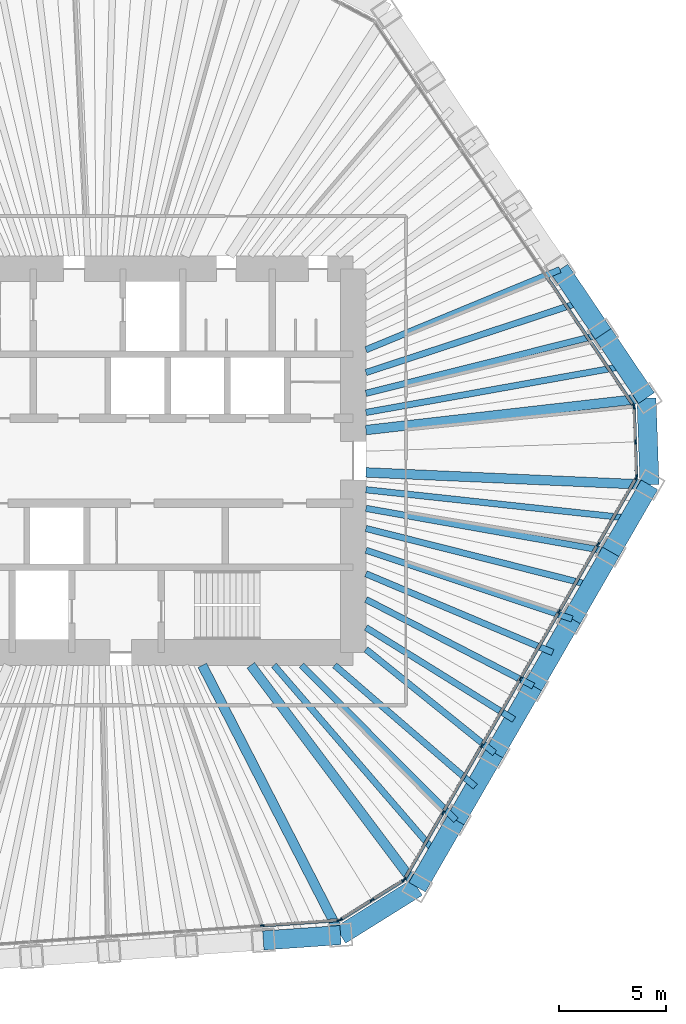
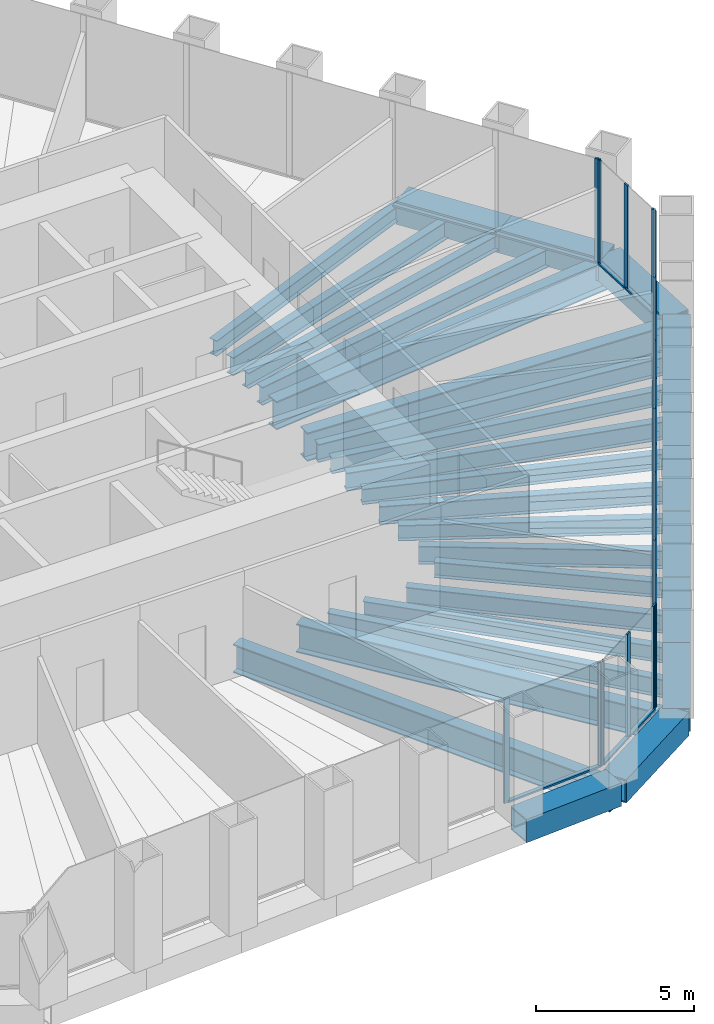
# One storey, part 4 of 13: 30 beams, 29 members, 5 elements without a shape of their own.
"""IFC4 building model written with IfcOpenShell, lengths in metres."""

from ifc_helpers import new_model, si_unit, direction, frame, origin, origin_2d, place, context, subcontext, project, spatial, rectangle, hollow_rectangle, i_section, extrude, material, material_profile, profile_set, type_object, element, aggregate, save


model = new_model("IFC4")

# Units and contexts
model_context = context("Model", 3, precision=1e-05, world=origin(), true_north=direction((0.0, 1.0)))
body_context = subcontext(model_context, "Body", "Model", "MODEL_VIEW")
ifc_project = project(units=[si_unit("LENGTHUNIT", "METRE"), si_unit("AREAUNIT", "SQUARE_METRE"), si_unit("VOLUMEUNIT", "CUBIC_METRE"), si_unit("PLANEANGLEUNIT", "RADIAN"), si_unit("MASSUNIT", "GRAM", prefix="KILO")], contexts=[model_context])

# Site, building, storey
site_placement = place(None, origin())
site = spatial("IfcSite", under=ifc_project, at=site_placement, CompositionType="ELEMENT")
building_placement = place(site_placement, origin())
building = spatial("IfcBuilding", under=site, at=building_placement, Name="Qingtian Harvest Tower", CompositionType="ELEMENT")
storey_placement = place(building_placement, frame((0.0, 0.0, 205.60009765625)))
storey = spatial("IfcBuildingStorey", under=building, at=storey_placement, Name="L44", CompositionType="ELEMENT", Elevation=205.60009765625)

# Beams
ifc_material_1 = material(Name="Steel SM570MC", Category="steel")
ifc_material_profile_1 = material_profile(ifc_material_1, i_section(OverallWidth=0.449951171875, OverallDepth=1.10009765625, WebThickness=0.02197265625, FlangeThickness=0.044921875, at=origin_2d()), Name="H1100x450x22x45")
ifc_profile_set_1 = profile_set([ifc_material_profile_1], Name="Steel SM570MC")
beam_type_1 = type_object("IfcBeamType", Name="Corner floor beam FB8 H1100x450x22x45", PredefinedType="BEAM", material=ifc_profile_set_1)
beam_1_placement = place(storey_placement, frame((25.762451171875, 2.936279296875, -0.72021484375), z_axis=(-0.993566901619, -0.113246686522, 0.0), x_axis=(0.113246686522, -0.993566901619, 0.0)))
element("IfcBeam", 1, at=beam_1_placement, inside=storey, type_object=beam_type_1, Name="Floor beam FB8 NE6", PredefinedType="BEAM", context=body_context, shape_type="SweptSolid", body=[
    extrude(i_section(OverallWidth=0.449951171875, OverallDepth=1.10009765625, WebThickness=0.02197265625, FlangeThickness=0.044921875, at=origin_2d()), origin(), (0.0, 0.0, 1.0), 13.24755859375),
])
beam_2_placement = place(storey_placement, frame((25.904541015625, -1.1318359375, -0.72021484375), z_axis=(-0.999046865424, 0.043650437408, 0.0), x_axis=(-0.043650437408, -0.999046865424, 0.0)))
element("IfcBeam", 2, at=beam_2_placement, inside=storey, type_object=beam_type_1, Name="Floor beam FB8 SE0", PredefinedType="BEAM", context=body_context, shape_type="SweptSolid", body=[
    extrude(i_section(OverallWidth=0.449951171875, OverallDepth=1.10009765625, WebThickness=0.02197265625, FlangeThickness=0.044921875, at=origin_2d()), origin(), (0.0, 0.0, 1.0), 13.317138671875),
])
beam_3_placement = place(storey_placement, frame((15.00390625, -20.012451171875, -0.72021484375), z_axis=(-0.599858913609, 0.800105795357, 0.0), x_axis=(-0.800105795357, -0.599858913609, 0.0)))
element("IfcBeam", 3, at=beam_3_placement, inside=storey, type_object=beam_type_1, Name="Floor beam FB8 SE6", PredefinedType="BEAM", context=body_context, shape_type="SweptSolid", body=[
    extrude(i_section(OverallWidth=0.449951171875, OverallDepth=1.10009765625, WebThickness=0.02197265625, FlangeThickness=0.044921875, at=origin_2d()), origin(), (0.0, 0.0, 1.0), 13.013671875),
])
beam_4_placement = place(storey_placement, frame((11.40966796875, -22.25830078125, -0.72021484375), z_axis=(-0.456157396608, 0.889899111989, 0.0), x_axis=(-0.889899111989, -0.456157396608, 0.0)))
element("IfcBeam", 4, at=beam_4_placement, inside=storey, type_object=beam_type_1, Name="Floor beam FB8 S0", PredefinedType="BEAM", context=body_context, shape_type="SweptSolid", body=[
    extrude(i_section(OverallWidth=0.449951171875, OverallDepth=1.10009765625, WebThickness=0.02197265625, FlangeThickness=0.044921875, at=origin_2d()), origin(), (0.0, 0.0, 1.0), 14.224365234375),
])
ifc_material_2 = material(Name="Steel SN490B", Category="steel")
ifc_material_profile_2 = material_profile(ifc_material_2, i_section(OverallWidth=0.300048828125, OverallDepth=0.60009765625, WebThickness=0.011962890625, FlangeThickness=0.02001953125, at=origin_2d()), Name="H600x300x12x20")
ifc_profile_set_2 = profile_set([ifc_material_profile_2], Name="Steel SN490B")
beam_type_2 = type_object("IfcBeamType", Name="Floor beam FB3 H600x300x12x20", PredefinedType="BEAM", material=ifc_profile_set_2)
beam_5_placement = place(storey_placement, frame((21.69873046875, 8.9609375, -0.47021484375), z_axis=(-0.924281590361, -0.381711332973, 0.0), x_axis=(0.381711332973, -0.924281590361, 0.0)))
element("IfcBeam", 5, at=beam_5_placement, inside=storey, type_object=beam_type_2, Name="Floor beam FB3 NE4", PredefinedType="BEAM", context=body_context, shape_type="SweptSolid", body=[
    extrude(i_section(OverallWidth=0.300048828125, OverallDepth=0.60009765625, WebThickness=0.011962890625, FlangeThickness=0.02001953125, at=origin_2d()), origin(), (0.0, 0.0, 1.0), 9.843994140625),
])
beam_6_placement = place(storey_placement, frame((23.730712890625, 5.948486328125, -0.47021484375), z_axis=(-0.969990876487, -0.243141315972, 0.0), x_axis=(0.243141315972, -0.969990876487, 0.0)))
element("IfcBeam", 6, at=beam_6_placement, inside=storey, type_object=beam_type_2, Name="Floor beam FB3 NE5", PredefinedType="BEAM", context=body_context, shape_type="SweptSolid", body=[
    extrude(i_section(OverallWidth=0.300048828125, OverallDepth=0.60009765625, WebThickness=0.011962890625, FlangeThickness=0.02001953125, at=origin_2d()), origin(), (0.0, 0.0, 1.0), 11.474853515625),
])
beam_7_placement = place(storey_placement, frame((24.087890625, -4.27880859375, -0.47021484375), z_axis=(-0.98458469654, 0.174908477034, 0.0), x_axis=(-0.174908477034, -0.98458469654, 0.0)))
element("IfcBeam", 7, at=beam_7_placement, inside=storey, type_object=beam_type_2, Name="Floor beam FB3 SE1", PredefinedType="BEAM", context=body_context, shape_type="SweptSolid", body=[
    extrude(i_section(OverallWidth=0.300048828125, OverallDepth=0.60009765625, WebThickness=0.011962890625, FlangeThickness=0.02001953125, at=origin_2d()), origin(), (0.0, 0.0, 1.0), 11.667724609375),
])
beam_8_placement = place(storey_placement, frame((22.27099609375, -7.425537109375, -0.47021484375), z_axis=(-0.948654555734, 0.316313979908, 0.0), x_axis=(-0.316313979908, -0.948654555734, 0.0)))
element("IfcBeam", 8, at=beam_8_placement, inside=storey, type_object=beam_type_2, Name="Floor beam FB3 SE2", PredefinedType="BEAM", context=body_context, shape_type="SweptSolid", body=[
    extrude(i_section(OverallWidth=0.300048828125, OverallDepth=0.60009765625, WebThickness=0.011962890625, FlangeThickness=0.02001953125, at=origin_2d()), origin(), (0.0, 0.0, 1.0), 10.1943359375),
])
beam_9_placement = place(storey_placement, frame((20.454345703125, -10.572265625, -0.47021484375), z_axis=(-0.888343501027, 0.459179511938, 0.0), x_axis=(-0.459179511938, -0.888343501027, 0.0)))
element("IfcBeam", 9, at=beam_9_placement, inside=storey, type_object=beam_type_2, Name="Floor beam FB3 SE3", PredefinedType="BEAM", context=body_context, shape_type="SweptSolid", body=[
    extrude(i_section(OverallWidth=0.300048828125, OverallDepth=0.60009765625, WebThickness=0.011962890625, FlangeThickness=0.02001953125, at=origin_2d()), origin(), (0.0, 0.0, 1.0), 8.841552734375),
])
beam_10_placement = place(storey_placement, frame((18.637451171875, -13.718994140625, -0.47021484375), z_axis=(-0.77840907003, 0.62775737327, 0.0), x_axis=(-0.62775737327, -0.77840907003, 0.0)))
element("IfcBeam", 10, at=beam_10_placement, inside=storey, type_object=beam_type_2, Name="Floor beam FB3 SE4", PredefinedType="BEAM", context=body_context, shape_type="SweptSolid", body=[
    extrude(i_section(OverallWidth=0.300048828125, OverallDepth=0.60009765625, WebThickness=0.011962890625, FlangeThickness=0.02001953125, at=origin_2d()), origin(), (0.0, 0.0, 1.0), 7.756103515625),
])
beam_11_placement = place(storey_placement, frame((16.82080078125, -16.86572265625, -0.47021484375), z_axis=(-0.70616637797, 0.708045935392, 0.0), x_axis=(-0.708045935392, -0.70616637797, 0.0)))
element("IfcBeam", 11, at=beam_11_placement, inside=storey, type_object=beam_type_2, Name="Floor beam FB3 SE5", PredefinedType="BEAM", context=body_context, shape_type="SweptSolid", body=[
    extrude(i_section(OverallWidth=0.300048828125, OverallDepth=0.60009765625, WebThickness=0.011962890625, FlangeThickness=0.02001953125, at=origin_2d()), origin(), (0.0, 0.0, 1.0), 10.261474609375),
])
ifc_material_3 = material(Name="Steel SN490B", Category="steel")
ifc_material_profile_3 = material_profile(ifc_material_3, i_section(OverallWidth=0.300048828125, OverallDepth=0.699951171875, WebThickness=0.012939453125, FlangeThickness=0.02392578125, at=origin_2d()), Name="H700x300x13x24")
ifc_profile_set_3 = profile_set([ifc_material_profile_3], Name="Steel SN490B")
beam_type_3 = type_object("IfcBeamType", Name="Floor joist J2 H700x300x13x24", PredefinedType="JOIST", material=ifc_profile_set_3)
beam_12_placement = place(storey_placement, frame((22.71484375, 7.454833984375, -0.52001953125), z_axis=(-0.950138567513, -0.311828001508, 0.0), x_axis=(0.311828001508, -0.950138567513, 0.0)))
element("IfcBeam", 12, at=beam_12_placement, inside=storey, type_object=beam_type_3, Name="Floor joist J2 NE4", PredefinedType="JOIST", context=body_context, shape_type="SweptSolid", body=[
    extrude(i_section(OverallWidth=0.300048828125, OverallDepth=0.699951171875, WebThickness=0.012939453125, FlangeThickness=0.02392578125, at=origin_2d()), origin(), (0.0, 0.0, 1.0), 10.6455078125),
])
beam_13_placement = place(storey_placement, frame((24.74658203125, 4.4423828125, -0.52001953125), z_axis=(-0.98426723745, -0.176686177393, 0.0), x_axis=(0.176686177393, -0.98426723745, 0.0)))
element("IfcBeam", 13, at=beam_13_placement, inside=storey, type_object=beam_type_3, Name="Floor joist J2 NE5", PredefinedType="JOIST", context=body_context, shape_type="SweptSolid", body=[
    extrude(i_section(OverallWidth=0.300048828125, OverallDepth=0.699951171875, WebThickness=0.012939453125, FlangeThickness=0.02392578125, at=origin_2d()), origin(), (0.0, 0.0, 1.0), 12.340576171875),
])
beam_14_placement = place(storey_placement, frame((24.99609375, -2.705322265625, -0.52001953125), z_axis=(-0.994194656298, 0.107596400448, 0.0), x_axis=(-0.107596400448, -0.994194656298, 0.0)))
element("IfcBeam", 14, at=beam_14_placement, inside=storey, type_object=beam_type_3, Name="Floor joist J2 SE0", PredefinedType="JOIST", context=body_context, shape_type="SweptSolid", body=[
    extrude(i_section(OverallWidth=0.300048828125, OverallDepth=0.699951171875, WebThickness=0.012939453125, FlangeThickness=0.02392578125, at=origin_2d()), origin(), (0.0, 0.0, 1.0), 12.46826171875),
])
beam_15_placement = place(storey_placement, frame((23.179443359375, -5.85205078125, -0.52001953125), z_axis=(-0.969577887027, 0.244783007963, 0.0), x_axis=(-0.244783007963, -0.969577887027, 0.0)))
element("IfcBeam", 15, at=beam_15_placement, inside=storey, type_object=beam_type_3, Name="Floor joist J2 SE1", PredefinedType="JOIST", context=body_context, shape_type="SweptSolid", body=[
    extrude(i_section(OverallWidth=0.300048828125, OverallDepth=0.699951171875, WebThickness=0.012939453125, FlangeThickness=0.02392578125, at=origin_2d()), origin(), (0.0, 0.0, 1.0), 10.911376953125),
])
beam_16_placement = place(storey_placement, frame((21.362548828125, -8.998779296875, -0.52001953125), z_axis=(-0.921571079516, 0.388209666803, 0.0), x_axis=(-0.388209666803, -0.921571079516, 0.0)))
element("IfcBeam", 16, at=beam_16_placement, inside=storey, type_object=beam_type_3, Name="Floor joist J2 SE2", PredefinedType="JOIST", context=body_context, shape_type="SweptSolid", body=[
    extrude(i_section(OverallWidth=0.300048828125, OverallDepth=0.699951171875, WebThickness=0.012939453125, FlangeThickness=0.02392578125, at=origin_2d()), origin(), (0.0, 0.0, 1.0), 9.508056640625),
])
beam_17_placement = place(storey_placement, frame((19.5458984375, -12.1455078125, -0.52001953125), z_axis=(-0.849380822906, 0.527780463526, 0.0), x_axis=(-0.527780463526, -0.849380822906, 0.0)))
element("IfcBeam", 17, at=beam_17_placement, inside=storey, type_object=beam_type_3, Name="Floor joist J2 SE3", PredefinedType="JOIST", context=body_context, shape_type="SweptSolid", body=[
    extrude(i_section(OverallWidth=0.300048828125, OverallDepth=0.699951171875, WebThickness=0.012939453125, FlangeThickness=0.02392578125, at=origin_2d()), origin(), (0.0, 0.0, 1.0), 8.177490234375),
])
beam_18_placement = place(storey_placement, frame((17.72900390625, -15.292236328125, -0.52001953125), z_axis=(-0.757237954988, 0.653139096613, 0.0), x_axis=(-0.653139096613, -0.757237954988, 0.0)))
element("IfcBeam", 18, at=beam_18_placement, inside=storey, type_object=beam_type_3, Name="Floor joist J2 SE4", PredefinedType="JOIST", context=body_context, shape_type="SweptSolid", body=[
    extrude(i_section(OverallWidth=0.300048828125, OverallDepth=0.699951171875, WebThickness=0.012939453125, FlangeThickness=0.02392578125, at=origin_2d()), origin(), (0.0, 0.0, 1.0), 8.715087890625),
])
beam_19_placement = place(storey_placement, frame((15.912353515625, -18.43896484375, -0.52001953125), z_axis=(-0.653343257086, 0.757061812813, 0.0), x_axis=(-0.757061812813, -0.653343257086, 0.0)))
element("IfcBeam", 19, at=beam_19_placement, inside=storey, type_object=beam_type_3, Name="Floor joist J2 SE5", PredefinedType="JOIST", context=body_context, shape_type="SweptSolid", body=[
    extrude(i_section(OverallWidth=0.300048828125, OverallDepth=0.699951171875, WebThickness=0.012939453125, FlangeThickness=0.02392578125, at=origin_2d()), origin(), (0.0, 0.0, 1.0), 11.67529296875),
])

# Curtain wall, member
ifc_material_4 = material(Name="Bronze-anodised aluminium curtain wall", Category="aluminium")
curtain_wall_type = type_object("IfcCurtainWallType", Name="Curtain wall CW4 office", PredefinedType="USERDEFINED", material=ifc_material_4)
curtain_wall_1_placement = place(storey_placement, origin())
curtain_wall_1 = element("IfcCurtainWall", 20, at=curtain_wall_1_placement, inside=storey, type_object=curtain_wall_type, Name="Curtain wall CW4 L44 NE0-5", ObjectType="RECESSED CURTAIN WALL", PredefinedType="USERDEFINED")
ifc_material_5 = material(Name="Bronze-anodised aluminium mullion", Category="aluminium")
ifc_material_profile_4 = material_profile(ifc_material_5, rectangle(XDim=0.06494140625, YDim=0.199951171875, at=origin_2d()), Name="AL 65x200")
ifc_profile_set_4 = profile_set([ifc_material_profile_4], Name="Bronze-anodised aluminium mullion")
member_type_1 = type_object("IfcMemberType", Name="Mullion CWM 65x200", PredefinedType="MULLION", material=ifc_profile_set_4)
member_1_placement = place(storey_placement, frame((25.1640625, 2.57177734375, 0.0), z_axis=(0.0, 0.0, 1.0), x_axis=(0.829037572555, 0.559192903471, 0.0)))
member_1 = element("IfcMember", 21, at=member_1_placement, type_object=member_type_1, Name="CW4 mullion 7", PredefinedType="MULLION", context=body_context, shape_type="SweptSolid", body=[
    extrude(rectangle(XDim=0.06494140625, YDim=0.199951171875, at=origin_2d()), origin(), (0.0, 0.0, 1.0), 4.02978515625),
])

# Curtain wall, members
curtain_wall_2_placement = place(storey_placement, origin())
curtain_wall_2 = element("IfcCurtainWall", 22, at=curtain_wall_2_placement, inside=storey, type_object=curtain_wall_type, Name="Curtain wall CW4 L44 NEC", ObjectType="RECESSED CURTAIN WALL", PredefinedType="USERDEFINED")
member_2_placement = place(storey_placement, frame((25.183349609375, 2.51220703125, 0.0), z_axis=(0.0, 0.0, 1.0), x_axis=(0.999390827019, 0.034899496703, 0.0)))
member_2 = element("IfcMember", 23, at=member_2_placement, type_object=member_type_1, Name="CW4 mullion 1", PredefinedType="MULLION", context=body_context, shape_type="SweptSolid", body=[
    extrude(rectangle(XDim=0.06494140625, YDim=0.199951171875, at=origin_2d()), origin(), (0.0, 0.0, 1.0), 4.02978515625),
])
member_3_placement = place(storey_placement, frame((25.240234375, 0.88134765625, 0.0), z_axis=(0.0, 0.0, 1.0), x_axis=(0.999390827019, 0.034899496703, 0.0)))
member_3 = element("IfcMember", 24, at=member_3_placement, type_object=member_type_1, Name="CW4 mullion 2", PredefinedType="MULLION", context=body_context, shape_type="SweptSolid", body=[
    extrude(rectangle(XDim=0.06494140625, YDim=0.199951171875, at=origin_2d()), origin(), (0.0, 0.0, 1.0), 4.02978515625),
])
member_4_placement = place(storey_placement, frame((25.297119140625, -0.74951171875, 0.0), z_axis=(0.0, 0.0, 1.0), x_axis=(0.999390827019, 0.034899496703, 0.0)))
member_4 = element("IfcMember", 25, at=member_4_placement, type_object=member_type_1, Name="CW4 mullion 3", PredefinedType="MULLION", context=body_context, shape_type="SweptSolid", body=[
    extrude(rectangle(XDim=0.06494140625, YDim=0.199951171875, at=origin_2d()), origin(), (0.0, 0.0, 1.0), 4.02978515625),
])

curtain_wall_3_placement = place(storey_placement, origin())
curtain_wall_3 = element("IfcCurtainWall", 26, at=curtain_wall_3_placement, inside=storey, type_object=curtain_wall_type, Name="Curtain wall CW4 L44 SE0-5", ObjectType="RECESSED CURTAIN WALL", PredefinedType="USERDEFINED")
member_5_placement = place(storey_placement, frame((25.2822265625, -0.81005859375, 0.0), z_axis=(0.0, 0.0, 1.0), x_axis=(0.866025403784, -0.5, 0.0)))
member_5 = element("IfcMember", 27, at=member_5_placement, type_object=member_type_1, Name="CW4 mullion 1", PredefinedType="MULLION", context=body_context, shape_type="SweptSolid", body=[
    extrude(rectangle(XDim=0.06494140625, YDim=0.199951171875, at=origin_2d()), origin(), (0.0, 0.0, 1.0), 4.02978515625),
])
member_6_placement = place(storey_placement, frame((23.481689453125, -3.9287109375, 0.0), z_axis=(0.0, 0.0, 1.0), x_axis=(0.866025403784, -0.5, 0.0)))
member_6 = element("IfcMember", 28, at=member_6_placement, type_object=member_type_1, Name="CW4 mullion 2", PredefinedType="MULLION", context=body_context, shape_type="SweptSolid", body=[
    extrude(rectangle(XDim=0.06494140625, YDim=0.199951171875, at=origin_2d()), origin(), (0.0, 0.0, 1.0), 4.02978515625),
])
member_7_placement = place(storey_placement, frame((21.664794921875, -7.075439453125, 0.0), z_axis=(0.0, 0.0, 1.0), x_axis=(0.866025403784, -0.5, 0.0)))
member_7 = element("IfcMember", 29, at=member_7_placement, type_object=member_type_1, Name="CW4 mullion 3", PredefinedType="MULLION", context=body_context, shape_type="SweptSolid", body=[
    extrude(rectangle(XDim=0.06494140625, YDim=0.199951171875, at=origin_2d()), origin(), (0.0, 0.0, 1.0), 4.02978515625),
])
member_8_placement = place(storey_placement, frame((19.84814453125, -10.22216796875, 0.0), z_axis=(0.0, 0.0, 1.0), x_axis=(0.866025403784, -0.5, 0.0)))
member_8 = element("IfcMember", 30, at=member_8_placement, type_object=member_type_1, Name="CW4 mullion 4", PredefinedType="MULLION", context=body_context, shape_type="SweptSolid", body=[
    extrude(rectangle(XDim=0.06494140625, YDim=0.199951171875, at=origin_2d()), origin(), (0.0, 0.0, 1.0), 4.02978515625),
])
member_9_placement = place(storey_placement, frame((18.03125, -13.368896484375, 0.0), z_axis=(0.0, 0.0, 1.0), x_axis=(0.866025403784, -0.5, 0.0)))
member_9 = element("IfcMember", 31, at=member_9_placement, type_object=member_type_1, Name="CW4 mullion 5", PredefinedType="MULLION", context=body_context, shape_type="SweptSolid", body=[
    extrude(rectangle(XDim=0.06494140625, YDim=0.199951171875, at=origin_2d()), origin(), (0.0, 0.0, 1.0), 4.02978515625),
])
member_10_placement = place(storey_placement, frame((16.214599609375, -16.515625, 0.0), z_axis=(0.0, 0.0, 1.0), x_axis=(0.866025403784, -0.5, 0.0)))
member_10 = element("IfcMember", 32, at=member_10_placement, type_object=member_type_1, Name="CW4 mullion 6", PredefinedType="MULLION", context=body_context, shape_type="SweptSolid", body=[
    extrude(rectangle(XDim=0.06494140625, YDim=0.199951171875, at=origin_2d()), origin(), (0.0, 0.0, 1.0), 4.02978515625),
])
member_11_placement = place(storey_placement, frame((14.4140625, -19.63427734375, 0.0), z_axis=(0.0, 0.0, 1.0), x_axis=(0.866025403784, -0.5, 0.0)))
member_11 = element("IfcMember", 33, at=member_11_placement, type_object=member_type_1, Name="CW4 mullion 7", PredefinedType="MULLION", context=body_context, shape_type="SweptSolid", body=[
    extrude(rectangle(XDim=0.06494140625, YDim=0.199951171875, at=origin_2d()), origin(), (0.0, 0.0, 1.0), 4.02978515625),
])

curtain_wall_4_placement = place(storey_placement, origin())
curtain_wall_4 = element("IfcCurtainWall", 34, at=curtain_wall_4_placement, inside=storey, type_object=curtain_wall_type, Name="Curtain wall CW4 L44 SEC", ObjectType="RECESSED CURTAIN WALL", PredefinedType="USERDEFINED")
member_12_placement = place(storey_placement, frame((14.3701171875, -19.6796875, 0.0), z_axis=(0.0, 0.0, 1.0), x_axis=(0.529919264233, -0.848048096156, 0.0)))
member_12 = element("IfcMember", 35, at=member_12_placement, type_object=member_type_1, Name="CW4 mullion 1", PredefinedType="MULLION", context=body_context, shape_type="SweptSolid", body=[
    extrude(rectangle(XDim=0.06494140625, YDim=0.199951171875, at=origin_2d()), origin(), (0.0, 0.0, 1.0), 4.02978515625),
])
member_13_placement = place(storey_placement, frame((12.87939453125, -20.611328125, 0.0), z_axis=(0.0, 0.0, 1.0), x_axis=(0.529919264233, -0.848048096156, 0.0)))
member_13 = element("IfcMember", 36, at=member_13_placement, type_object=member_type_1, Name="CW4 mullion 2", PredefinedType="MULLION", context=body_context, shape_type="SweptSolid", body=[
    extrude(rectangle(XDim=0.06494140625, YDim=0.199951171875, at=origin_2d()), origin(), (0.0, 0.0, 1.0), 4.02978515625),
])
member_14_placement = place(storey_placement, frame((11.388427734375, -21.542724609375, 0.0), z_axis=(0.0, 0.0, 1.0), x_axis=(0.529919264233, -0.848048096156, 0.0)))
member_14 = element("IfcMember", 37, at=member_14_placement, type_object=member_type_1, Name="CW4 mullion 3", PredefinedType="MULLION", context=body_context, shape_type="SweptSolid", body=[
    extrude(rectangle(XDim=0.06494140625, YDim=0.199951171875, at=origin_2d()), origin(), (0.0, 0.0, 1.0), 4.02978515625),
])

curtain_wall_5_placement = place(storey_placement, origin())
curtain_wall_5 = element("IfcCurtainWall", 38, at=curtain_wall_5_placement, inside=storey, type_object=curtain_wall_type, Name="Curtain wall CW4 L44 S0-5", ObjectType="RECESSED CURTAIN WALL", PredefinedType="USERDEFINED")
member_15_placement = place(storey_placement, frame((11.32861328125, -21.562255859375, 0.0), z_axis=(0.0, 0.0, 1.0), x_axis=(0.069756473744, -0.99756405026, 0.0)))
member_15 = element("IfcMember", 39, at=member_15_placement, type_object=member_type_1, Name="CW4 mullion 1", PredefinedType="MULLION", context=body_context, shape_type="SweptSolid", body=[
    extrude(rectangle(XDim=0.06494140625, YDim=0.199951171875, at=origin_2d()), origin(), (0.0, 0.0, 1.0), 4.02978515625),
])
member_16_placement = place(storey_placement, frame((7.736328125, -21.8134765625, 0.0), z_axis=(0.0, 0.0, 1.0), x_axis=(0.069756473744, -0.99756405026, 0.0)))
member_16 = element("IfcMember", 40, at=member_16_placement, type_object=member_type_1, Name="CW4 mullion 2", PredefinedType="MULLION", context=body_context, shape_type="SweptSolid", body=[
    extrude(rectangle(XDim=0.06494140625, YDim=0.199951171875, at=origin_2d()), origin(), (0.0, 0.0, 1.0), 4.02978515625),
])

# Beams
ifc_material_6 = material(Name="Steel SM570MC", Category="steel")
ifc_material_profile_5 = material_profile(ifc_material_6, hollow_rectangle(XDim=0.89990234375, YDim=0.89990234375, WallThickness=0.050048828125, at=origin_2d()), Name="BOX900x900x50")
ifc_profile_set_5 = profile_set([ifc_material_profile_5], Name="Steel SM570MC")
beam_type_4 = type_object("IfcBeamType", Name="Transition spandrel SB6 BOX900x900x50", PredefinedType="SPANDREL", material=ifc_profile_set_5)
beam_20_placement = place(storey_placement, frame((21.69873046875, 8.9609375, -0.4501953125), z_axis=(0.55920395902, -0.829030115385, 0.0), x_axis=(0.829030115385, 0.55920395902, 0.0)))
element("IfcBeam", 41, at=beam_20_placement, inside=storey, type_object=beam_type_4, Name="Spandrel SB6 NE4", PredefinedType="SPANDREL", context=body_context, shape_type="SweptSolid", body=[
    extrude(hollow_rectangle(XDim=0.89990234375, YDim=0.89990234375, WallThickness=0.050048828125, at=origin_2d()), origin(), (0.0, 0.0, 1.0), 3.6337890625),
])
beam_21_placement = place(storey_placement, frame((23.730712890625, 5.948486328125, -0.4501953125), z_axis=(0.559188928021, -0.829040254016, 0.0), x_axis=(0.829040254016, 0.559188928021, 0.0)))
element("IfcBeam", 42, at=beam_21_placement, inside=storey, type_object=beam_type_4, Name="Spandrel SB6 NE5", PredefinedType="SPANDREL", context=body_context, shape_type="SweptSolid", body=[
    extrude(hollow_rectangle(XDim=0.89990234375, YDim=0.89990234375, WallThickness=0.050048828125, at=origin_2d()), origin(), (0.0, 0.0, 1.0), 3.63330078125),
])
beam_22_placement = place(storey_placement, frame((25.762451171875, 2.936279296875, -0.4501953125), z_axis=(0.03490639867, -0.999390585973, 0.0), x_axis=(0.999390585973, 0.03490639867, 0.0)))
element("IfcBeam", 43, at=beam_22_placement, inside=storey, type_object=beam_type_4, Name="Spandrel SB6 NEC", PredefinedType="SPANDREL", context=body_context, shape_type="SweptSolid", body=[
    extrude(hollow_rectangle(XDim=0.89990234375, YDim=0.89990234375, WallThickness=0.050048828125, at=origin_2d()), origin(), (0.0, 0.0, 1.0), 4.070556640625),
])
beam_23_placement = place(storey_placement, frame((25.904541015625, -1.1318359375, -0.4501953125), z_axis=(-0.499947341849, -0.866055803848, 0.0), x_axis=(0.866055803848, -0.499947341849, 0.0)))
element("IfcBeam", 44, at=beam_23_placement, inside=storey, type_object=beam_type_4, Name="Spandrel SB6 SE0", PredefinedType="SPANDREL", context=body_context, shape_type="SweptSolid", body=[
    extrude(hollow_rectangle(XDim=0.89990234375, YDim=0.89990234375, WallThickness=0.050048828125, at=origin_2d()), origin(), (0.0, 0.0, 1.0), 3.6337890625),
])
for number, where, z_axis, x_axis, name in (
    (45, (24.087890625, -4.27880859375, -0.4501953125), (-0.500026827678, -0.866009914263, 0.0), (0.866009914263, -0.500026827678, 0.0), "Spandrel SB6 SE1"),
    (46, (22.27099609375, -7.425537109375, -0.4501953125), (-0.499976434558, -0.866039008871, 0.0), (0.866039008871, -0.499976434558, 0.0), "Spandrel SB6 SE2"),
    (47, (20.454345703125, -10.572265625, -0.4501953125), (-0.500026827678, -0.866009914263, 0.0), (0.866009914263, -0.500026827678, 0.0), "Spandrel SB6 SE3"),
    (48, (18.637451171875, -13.718994140625, -0.4501953125), (-0.499976434558, -0.866039008871, 0.0), (0.866039008871, -0.499976434558, 0.0), "Spandrel SB6 SE4"),
    (49, (16.82080078125, -16.86572265625, -0.4501953125), (-0.500026827678, -0.866009914263, 0.0), (0.866009914263, -0.500026827678, 0.0), "Spandrel SB6 SE5"),
):
    element("IfcBeam", number, at=place(storey_placement, frame(where, z_axis=z_axis, x_axis=x_axis)), inside=storey, type_object=beam_type_4, Name=name, PredefinedType="SPANDREL", context=body_context, shape_type="SweptSolid", body=[
        extrude(hollow_rectangle(XDim=0.89990234375, YDim=0.89990234375, WallThickness=0.050048828125, at=origin_2d()), origin(), (0.0, 0.0, 1.0), 3.633544921875),
    ])
beam_24_placement = place(storey_placement, frame((15.00390625, -20.012451171875, -0.4501953125), z_axis=(-0.848056550838, -0.529905733675, 0.0), x_axis=(0.529905733675, -0.848056550838, 0.0)))
element("IfcBeam", 50, at=beam_24_placement, inside=storey, type_object=beam_type_4, Name="Spandrel SB6 SEC", PredefinedType="SPANDREL", context=body_context, shape_type="SweptSolid", body=[
    extrude(hollow_rectangle(XDim=0.89990234375, YDim=0.89990234375, WallThickness=0.050048828125, at=origin_2d()), origin(), (0.0, 0.0, 1.0), 4.23828125),
])
beam_25_placement = place(storey_placement, frame((11.40966796875, -22.25830078125, -0.4501953125), z_axis=(-0.997564674207, -0.069747550305, 0.0), x_axis=(0.069747550305, -0.997564674207, 0.0)))
element("IfcBeam", 51, at=beam_25_placement, inside=storey, type_object=beam_type_4, Name="Spandrel SB6 S0", PredefinedType="SPANDREL", context=body_context, shape_type="SweptSolid", body=[
    extrude(hollow_rectangle(XDim=0.89990234375, YDim=0.89990234375, WallThickness=0.050048828125, at=origin_2d()), origin(), (0.0, 0.0, 1.0), 3.63330078125),
])

# Member
ifc_material_7 = material(Name="Bronze-anodised aluminium transom", Category="aluminium")
ifc_material_profile_6 = material_profile(ifc_material_7, rectangle(XDim=0.14990234375, YDim=0.06494140625, at=origin_2d()), Name="AL 65x150")
ifc_profile_set_6 = profile_set([ifc_material_profile_6], Name="Bronze-anodised aluminium transom")
member_type_2 = type_object("IfcMemberType", Name="Transom CWT 65x150", PredefinedType="USERDEFINED", material=ifc_profile_set_6)
member_17_placement = place(storey_placement, frame((21.13671875, 8.54248046875, 0.032470703125), z_axis=(0.559160259871, -0.829059590006, 0.0), x_axis=(0.829059590006, 0.559160259871, 0.0)))
member_17 = element("IfcMember", 52, at=member_17_placement, type_object=member_type_2, Name="CW4 transom 5.1", ObjectType="TRANSOM", PredefinedType="USERDEFINED", context=body_context, shape_type="SweptSolid", body=[
    extrude(rectangle(XDim=0.14990234375, YDim=0.06494140625, at=origin_2d()), origin(), (0.0, 0.0, 1.0), 3.568603515625),
])

member_18_placement = place(storey_placement, frame((23.16845703125, 5.5302734375, 0.032470703125), z_axis=(0.559169259008, -0.829053520456, 0.0), x_axis=(0.829053520456, 0.559169259008, 0.0)))
member_18 = element("IfcMember", 53, at=member_18_placement, type_object=member_type_2, Name="CW4 transom 6.1", ObjectType="TRANSOM", PredefinedType="USERDEFINED", context=body_context, shape_type="SweptSolid", body=[
    extrude(rectangle(XDim=0.14990234375, YDim=0.06494140625, at=origin_2d()), origin(), (0.0, 0.0, 1.0), 3.5361328125),
])

aggregate(curtain_wall_1, [member_1, member_17, member_18])

member_19_placement = place(storey_placement, frame((25.1845703125, 2.479736328125, 0.032470703125), z_axis=(0.034902326647, -0.999390728191, 0.0), x_axis=(0.999390728191, 0.034902326647, 0.0)))
member_19 = element("IfcMember", 54, at=member_19_placement, type_object=member_type_2, Name="CW4 transom 1.1", ObjectType="TRANSOM", PredefinedType="USERDEFINED", context=body_context, shape_type="SweptSolid", body=[
    extrude(rectangle(XDim=0.14990234375, YDim=0.06494140625, at=origin_2d()), origin(), (0.0, 0.0, 1.0), 1.56689453125),
])

member_20_placement = place(storey_placement, frame((25.241455078125, 0.848876953125, 0.032470703125), z_axis=(0.034902326647, -0.999390728191, 0.0), x_axis=(0.999390728191, 0.034902326647, 0.0)))
member_20 = element("IfcMember", 55, at=member_20_placement, type_object=member_type_2, Name="CW4 transom 2.1", ObjectType="TRANSOM", PredefinedType="USERDEFINED", context=body_context, shape_type="SweptSolid", body=[
    extrude(rectangle(XDim=0.14990234375, YDim=0.06494140625, at=origin_2d()), origin(), (0.0, 0.0, 1.0), 1.56689453125),
])

aggregate(curtain_wall_2, [member_2, member_3, member_4, member_19, member_20])

member_21_placement = place(storey_placement, frame((25.265869140625, -0.838134765625, 0.032470703125), z_axis=(-0.499985409597, -0.866033827394, 0.0), x_axis=(0.866033827394, -0.499985409597, 0.0)))
member_21 = element("IfcMember", 56, at=member_21_placement, type_object=member_type_2, Name="CW4 transom 1.1", ObjectType="TRANSOM", PredefinedType="USERDEFINED", context=body_context, shape_type="SweptSolid", body=[
    extrude(rectangle(XDim=0.14990234375, YDim=0.06494140625, at=origin_2d()), origin(), (0.0, 0.0, 1.0), 3.5361328125),
])

member_22_placement = place(storey_placement, frame((23.46533203125, -3.956787109375, 0.032470703125), z_axis=(-0.499965259726, -0.866045460162, 0.0), x_axis=(0.866045460162, -0.499965259726, 0.0)))
member_22 = element("IfcMember", 57, at=member_22_placement, type_object=member_type_2, Name="CW4 transom 2.1", ObjectType="TRANSOM", PredefinedType="USERDEFINED", context=body_context, shape_type="SweptSolid", body=[
    extrude(rectangle(XDim=0.14990234375, YDim=0.06494140625, at=origin_2d()), origin(), (0.0, 0.0, 1.0), 3.568603515625),
])

member_23_placement = place(storey_placement, frame((21.648681640625, -7.103515625, 0.032470703125), z_axis=(-0.500016569533, -0.866015837149, 0.0), x_axis=(0.866015837149, -0.500016569533, 0.0)))
member_23 = element("IfcMember", 58, at=member_23_placement, type_object=member_type_2, Name="CW4 transom 3.1", ObjectType="TRANSOM", PredefinedType="USERDEFINED", context=body_context, shape_type="SweptSolid", body=[
    extrude(rectangle(XDim=0.14990234375, YDim=0.06494140625, at=origin_2d()), origin(), (0.0, 0.0, 1.0), 3.56884765625),
])

member_24_placement = place(storey_placement, frame((19.831787109375, -10.250244140625, 0.032470703125), z_axis=(-0.499965259726, -0.866045460162, 0.0), x_axis=(0.866045460162, -0.499965259726, 0.0)))
member_24 = element("IfcMember", 59, at=member_24_placement, type_object=member_type_2, Name="CW4 transom 4.1", ObjectType="TRANSOM", PredefinedType="USERDEFINED", context=body_context, shape_type="SweptSolid", body=[
    extrude(rectangle(XDim=0.14990234375, YDim=0.06494140625, at=origin_2d()), origin(), (0.0, 0.0, 1.0), 3.568603515625),
])

member_25_placement = place(storey_placement, frame((18.014892578125, -13.39697265625, 0.032470703125), z_axis=(-0.499965259726, -0.866045460162, 0.0), x_axis=(0.866045460162, -0.499965259726, 0.0)))
member_25 = element("IfcMember", 60, at=member_25_placement, type_object=member_type_2, Name="CW4 transom 5.1", ObjectType="TRANSOM", PredefinedType="USERDEFINED", context=body_context, shape_type="SweptSolid", body=[
    extrude(rectangle(XDim=0.14990234375, YDim=0.06494140625, at=origin_2d()), origin(), (0.0, 0.0, 1.0), 3.568603515625),
])

member_26_placement = place(storey_placement, frame((16.1982421875, -16.5439453125, 0.032470703125), z_axis=(-0.500015305566, -0.866016566931, 0.0), x_axis=(0.866016566931, -0.500015305566, 0.0)))
member_26 = element("IfcMember", 61, at=member_26_placement, type_object=member_type_2, Name="CW4 transom 6.1", ObjectType="TRANSOM", PredefinedType="USERDEFINED", context=body_context, shape_type="SweptSolid", body=[
    extrude(rectangle(XDim=0.14990234375, YDim=0.06494140625, at=origin_2d()), origin(), (0.0, 0.0, 1.0), 3.5361328125),
])

aggregate(curtain_wall_3, [member_5, member_6, member_7, member_8, member_9, member_10, member_11, member_21, member_22, member_23, member_24, member_25, member_26])

member_27_placement = place(storey_placement, frame((14.342529296875, -19.69677734375, 0.032470703125), z_axis=(-0.847998304005, -0.529998940003, 0.0), x_axis=(0.529998940003, -0.847998304005, 0.0)))
member_27 = element("IfcMember", 62, at=member_27_placement, type_object=member_type_2, Name="CW4 transom 1.1", ObjectType="TRANSOM", PredefinedType="USERDEFINED", context=body_context, shape_type="SweptSolid", body=[
    extrude(rectangle(XDim=0.14990234375, YDim=0.06494140625, at=origin_2d()), origin(), (0.0, 0.0, 1.0), 1.69287109375),
])

member_28_placement = place(storey_placement, frame((12.851806640625, -20.62841796875, 0.032470703125), z_axis=(-0.84803880708, -0.529934129573, 0.0), x_axis=(0.529934129573, -0.84803880708, 0.0)))
member_28 = element("IfcMember", 63, at=member_28_placement, type_object=member_type_2, Name="CW4 transom 2.1", ObjectType="TRANSOM", PredefinedType="USERDEFINED", context=body_context, shape_type="SweptSolid", body=[
    extrude(rectangle(XDim=0.14990234375, YDim=0.06494140625, at=origin_2d()), origin(), (0.0, 0.0, 1.0), 1.693115234375),
])

aggregate(curtain_wall_4, [member_12, member_13, member_14, member_27, member_28])

member_29_placement = place(storey_placement, frame((11.296142578125, -21.564453125, 0.032470703125), z_axis=(-0.997561034679, -0.069799585166, 0.0), x_axis=(0.069799585166, -0.997561034679, 0.0)))
member_29 = element("IfcMember", 64, at=member_29_placement, type_object=member_type_2, Name="CW4 transom 1.1", ObjectType="TRANSOM", PredefinedType="USERDEFINED", context=body_context, shape_type="SweptSolid", body=[
    extrude(rectangle(XDim=0.14990234375, YDim=0.06494140625, at=origin_2d()), origin(), (0.0, 0.0, 1.0), 3.5361328125),
])

aggregate(curtain_wall_5, [member_15, member_16, member_29])

save(model, "model.ifc")
